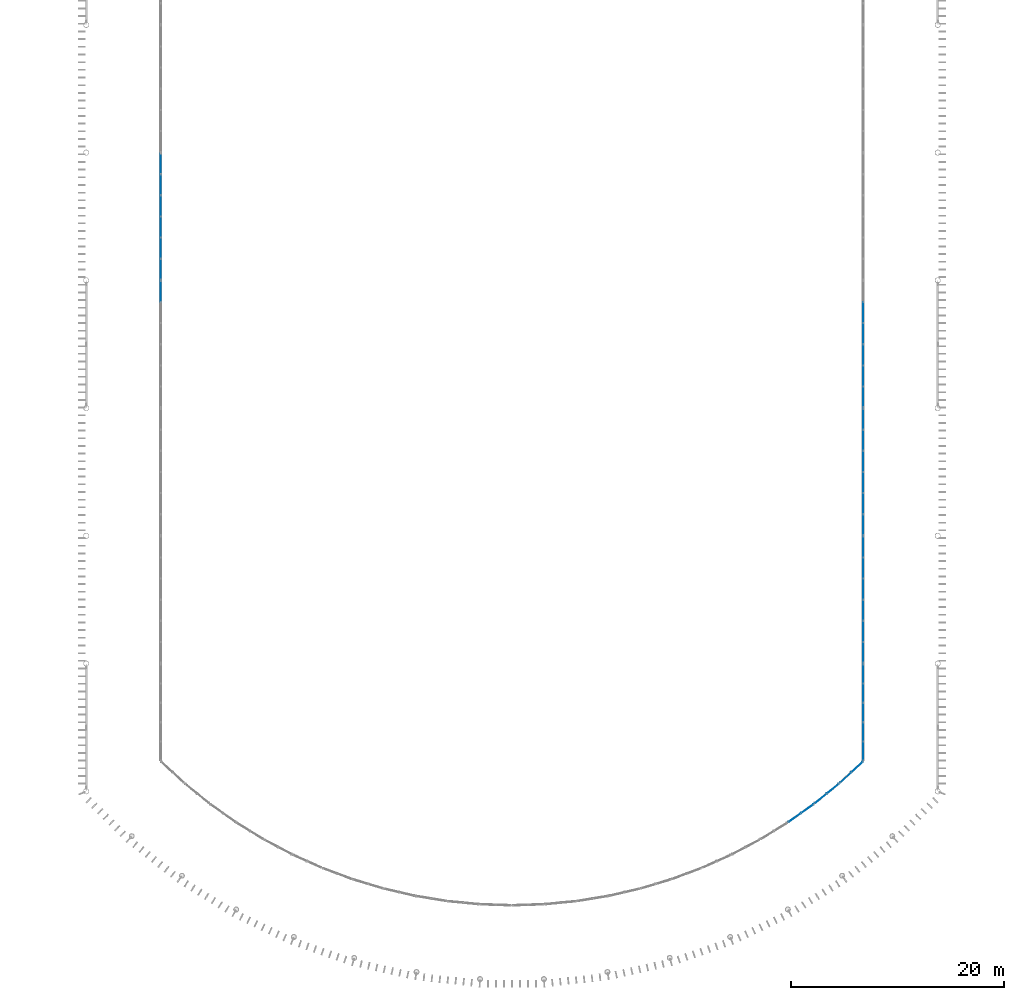
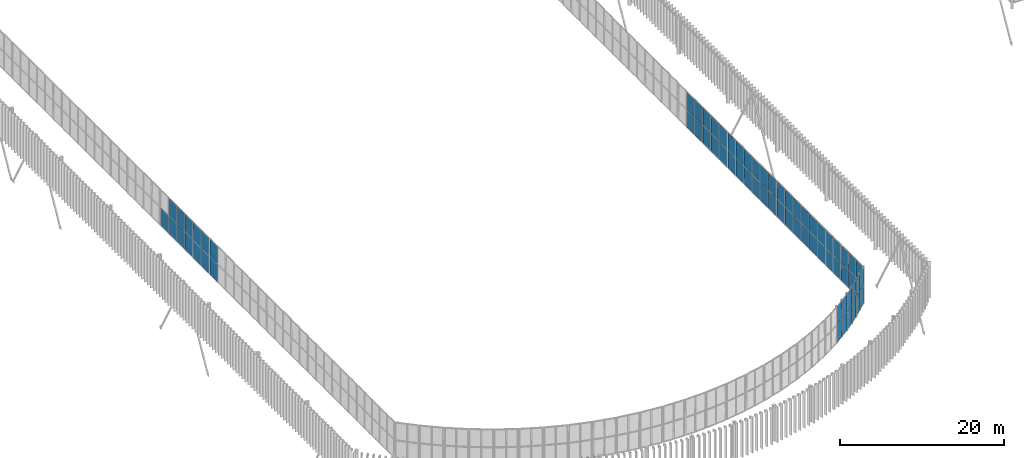
# One storey, part 88 of 170: 69 plates, 9 elements without a shape of their own.
"""IFC4 building model written with IfcOpenShell, lengths in metres."""

from ifc_helpers import new_model, si_unit, direction, frame, origin, origin_2d, place, context, subcontext, project, spatial, rectangle, extrude, material, layer, layer_set, type_object, element, aggregate, save


model = new_model("IFC4")

# Units and contexts
model_context = context("Model", 3, precision=1e-05, world=origin(), true_north=direction((0.0, 1.0)))
body_context = subcontext(model_context, "Body", "Model", "MODEL_VIEW")
ifc_project = project(units=[si_unit("LENGTHUNIT", "METRE"), si_unit("AREAUNIT", "SQUARE_METRE"), si_unit("VOLUMEUNIT", "CUBIC_METRE"), si_unit("PLANEANGLEUNIT", "RADIAN"), si_unit("MASSUNIT", "GRAM", prefix="KILO")], contexts=[model_context])

# Site, building, storey
site_placement = place(None, origin())
site = spatial("IfcSite", under=ifc_project, at=site_placement, CompositionType="ELEMENT")
building_placement = place(site_placement, origin())
building = spatial("IfcBuilding", under=site, at=building_placement, Name="Ravi Spectrum Wholesale Market", CompositionType="ELEMENT")
storey_placement = place(building_placement, frame((0.0, 0.0, 5.39990234375)))
storey = spatial("IfcBuildingStorey", under=building, at=storey_placement, Name="L01", CompositionType="ELEMENT", Elevation=5.39990234375)

# Curtain wall, plates
ifc_material_1 = material(Name="Aluminium 6063-T6", Category="aluminium")
ifc_layer_1 = layer(ifc_material_1, 0.14990234375)
ifc_layer_set_1 = layer_set([ifc_layer_1], Name="Aluminium 6063-T6")
curtain_wall_type = type_object("IfcCurtainWallType", Name="Curtain wall 150", PredefinedType="NOTDEFINED", material=ifc_layer_set_1)
curtain_wall_1_placement = place(storey_placement, origin())
curtain_wall_1 = element("IfcCurtainWall", 1, at=curtain_wall_1_placement, inside=storey, type_object=curtain_wall_type, Name="H1-CW-L01-004", PredefinedType="NOTDEFINED")
ifc_material_2 = material(Name="Toughened glass", Category="glass")
ifc_layer_2 = layer(ifc_material_2, 0.028076171875)
ifc_layer_set_2 = layer_set([ifc_layer_2], Name="Toughened glass")
plate_type_1 = type_object("IfcPlateType", Name="Glazing panel 28", PredefinedType="CURTAIN_PANEL", material=ifc_layer_set_2)
plate_1_placement = place(storey_placement, frame((37.0, 76.95166015625, 0.06005859375), z_axis=(0.0, 0.0, 1.0), x_axis=(0.0, 1.0, 0.0)))
plate_1 = element("IfcPlate", 2, at=plate_1_placement, type_object=plate_type_1, Name="H1-CW-L01-004 panel 6.1", PredefinedType="CURTAIN_PANEL", context=body_context, shape_type="SweptSolid", body=[
    extrude(rectangle(XDim=1.896728515625, YDim=0.028076171875, at=origin_2d()), origin(), (0.0, 0.0, 1.0), 2.610107421875),
])
plate_2_placement = place(storey_placement, frame((37.0, 76.95166015625, 2.72998046875), z_axis=(0.0, 0.0, 1.0), x_axis=(0.0, 1.0, 0.0)))
plate_2 = element("IfcPlate", 3, at=plate_2_placement, type_object=plate_type_1, Name="H1-CW-L01-004 panel 6.2", PredefinedType="CURTAIN_PANEL", context=body_context, shape_type="SweptSolid", body=[
    extrude(rectangle(XDim=1.896728515625, YDim=0.028076171875, at=origin_2d()), origin(), (0.0, 0.0, 1.0), 2.610107421875),
])
aggregate(curtain_wall_1, [plate_1, plate_2])

curtain_wall_2_placement = place(storey_placement, origin())
curtain_wall_2 = element("IfcCurtainWall", 4, at=curtain_wall_2_placement, inside=storey, type_object=curtain_wall_type, Name="H1-CW-L01-005", PredefinedType="NOTDEFINED")
plate_3_placement = place(storey_placement, frame((37.0, 79.04833984375, 0.06005859375), z_axis=(0.0, 0.0, 1.0), x_axis=(0.0, 1.0, 0.0)))
plate_3 = element("IfcPlate", 5, at=plate_3_placement, type_object=plate_type_1, Name="H1-CW-L01-005 panel 1.1", PredefinedType="CURTAIN_PANEL", context=body_context, shape_type="SweptSolid", body=[
    extrude(rectangle(XDim=1.896728515625, YDim=0.028076171875, at=origin_2d()), origin(), (0.0, 0.0, 1.0), 2.610107421875),
])
plate_4_placement = place(storey_placement, frame((37.0, 79.04833984375, 2.72998046875), z_axis=(0.0, 0.0, 1.0), x_axis=(0.0, 1.0, 0.0)))
plate_4 = element("IfcPlate", 6, at=plate_4_placement, type_object=plate_type_1, Name="H1-CW-L01-005 panel 1.2", PredefinedType="CURTAIN_PANEL", context=body_context, shape_type="SweptSolid", body=[
    extrude(rectangle(XDim=1.896728515625, YDim=0.028076171875, at=origin_2d()), origin(), (0.0, 0.0, 1.0), 2.610107421875),
])
plate_5_placement = place(storey_placement, frame((37.0, 81.02001953125, 0.06005859375), z_axis=(0.0, 0.0, 1.0), x_axis=(0.0, 1.0, 0.0)))
plate_5 = element("IfcPlate", 7, at=plate_5_placement, type_object=plate_type_1, Name="H1-CW-L01-005 panel 2.1", PredefinedType="CURTAIN_PANEL", context=body_context, shape_type="SweptSolid", body=[
    extrude(rectangle(XDim=1.9267578125, YDim=0.028076171875, at=origin_2d()), origin(), (0.0, 0.0, 1.0), 2.610107421875),
])
plate_6_placement = place(storey_placement, frame((37.0, 81.02001953125, 2.72998046875), z_axis=(0.0, 0.0, 1.0), x_axis=(0.0, 1.0, 0.0)))
plate_6 = element("IfcPlate", 8, at=plate_6_placement, type_object=plate_type_1, Name="H1-CW-L01-005 panel 2.2", PredefinedType="CURTAIN_PANEL", context=body_context, shape_type="SweptSolid", body=[
    extrude(rectangle(XDim=1.9267578125, YDim=0.028076171875, at=origin_2d()), origin(), (0.0, 0.0, 1.0), 2.610107421875),
])
plate_7_placement = place(storey_placement, frame((37.0, 83.006591796875, 0.06005859375), z_axis=(0.0, 0.0, 1.0), x_axis=(0.0, 1.0, 0.0)))
plate_7 = element("IfcPlate", 9, at=plate_7_placement, type_object=plate_type_1, Name="H1-CW-L01-005 panel 3.1", PredefinedType="CURTAIN_PANEL", context=body_context, shape_type="SweptSolid", body=[
    extrude(rectangle(XDim=1.9267578125, YDim=0.028076171875, at=origin_2d()), origin(), (0.0, 0.0, 1.0), 2.610107421875),
])
plate_8_placement = place(storey_placement, frame((37.0, 83.006591796875, 2.72998046875), z_axis=(0.0, 0.0, 1.0), x_axis=(0.0, 1.0, 0.0)))
plate_8 = element("IfcPlate", 10, at=plate_8_placement, type_object=plate_type_1, Name="H1-CW-L01-005 panel 3.2", PredefinedType="CURTAIN_PANEL", context=body_context, shape_type="SweptSolid", body=[
    extrude(rectangle(XDim=1.9267578125, YDim=0.028076171875, at=origin_2d()), origin(), (0.0, 0.0, 1.0), 2.610107421875),
])
plate_9_placement = place(storey_placement, frame((37.0, 84.993408203125, 0.06005859375), z_axis=(0.0, 0.0, 1.0), x_axis=(0.0, 1.0, 0.0)))
plate_9 = element("IfcPlate", 11, at=plate_9_placement, type_object=plate_type_1, Name="H1-CW-L01-005 panel 4.1", PredefinedType="CURTAIN_PANEL", context=body_context, shape_type="SweptSolid", body=[
    extrude(rectangle(XDim=1.9267578125, YDim=0.028076171875, at=origin_2d()), origin(), (0.0, 0.0, 1.0), 2.610107421875),
])
plate_10_placement = place(storey_placement, frame((37.0, 84.993408203125, 2.72998046875), z_axis=(0.0, 0.0, 1.0), x_axis=(0.0, 1.0, 0.0)))
plate_10 = element("IfcPlate", 12, at=plate_10_placement, type_object=plate_type_1, Name="H1-CW-L01-005 panel 4.2", PredefinedType="CURTAIN_PANEL", context=body_context, shape_type="SweptSolid", body=[
    extrude(rectangle(XDim=1.9267578125, YDim=0.028076171875, at=origin_2d()), origin(), (0.0, 0.0, 1.0), 2.610107421875),
])
plate_11_placement = place(storey_placement, frame((37.0, 86.97998046875, 0.06005859375), z_axis=(0.0, 0.0, 1.0), x_axis=(0.0, 1.0, 0.0)))
plate_11 = element("IfcPlate", 13, at=plate_11_placement, type_object=plate_type_1, Name="H1-CW-L01-005 panel 5.1", PredefinedType="CURTAIN_PANEL", context=body_context, shape_type="SweptSolid", body=[
    extrude(rectangle(XDim=1.9267578125, YDim=0.028076171875, at=origin_2d()), origin(), (0.0, 0.0, 1.0), 2.610107421875),
])
plate_12_placement = place(storey_placement, frame((37.0, 86.97998046875, 2.72998046875), z_axis=(0.0, 0.0, 1.0), x_axis=(0.0, 1.0, 0.0)))
plate_12 = element("IfcPlate", 14, at=plate_12_placement, type_object=plate_type_1, Name="H1-CW-L01-005 panel 5.2", PredefinedType="CURTAIN_PANEL", context=body_context, shape_type="SweptSolid", body=[
    extrude(rectangle(XDim=1.9267578125, YDim=0.028076171875, at=origin_2d()), origin(), (0.0, 0.0, 1.0), 2.610107421875),
])
plate_13_placement = place(storey_placement, frame((37.0, 88.95166015625, 0.06005859375), z_axis=(0.0, 0.0, 1.0), x_axis=(0.0, 1.0, 0.0)))
plate_13 = element("IfcPlate", 15, at=plate_13_placement, type_object=plate_type_1, Name="H1-CW-L01-005 panel 6.1", PredefinedType="CURTAIN_PANEL", context=body_context, shape_type="SweptSolid", body=[
    extrude(rectangle(XDim=1.896728515625, YDim=0.028076171875, at=origin_2d()), origin(), (0.0, 0.0, 1.0), 2.610107421875),
])
aggregate(curtain_wall_2, [plate_3, plate_4, plate_5, plate_6, plate_7, plate_8, plate_9, plate_10, plate_11, plate_12, plate_13])

curtain_wall_3_placement = place(storey_placement, origin())
curtain_wall_3 = element("IfcCurtainWall", 16, at=curtain_wall_3_placement, inside=storey, type_object=curtain_wall_type, Name="H1-CW-L01-015", PredefinedType="NOTDEFINED")
plate_14_placement = place(storey_placement, frame((103.0, 33.7763671875, 0.06005859375), z_axis=(0.0, 0.0, 1.0), x_axis=(0.0, 1.0, 0.0)))
plate_14 = element("IfcPlate", 17, at=plate_14_placement, type_object=plate_type_1, Name="H1-CW-L01-015 panel 1.1", PredefinedType="CURTAIN_PANEL", context=body_context, shape_type="SweptSolid", body=[
    extrude(rectangle(XDim=1.73193359375, YDim=0.028076171875, at=origin_2d()), origin(), (0.0, 0.0, 1.0), 2.610107421875),
])
plate_15_placement = place(storey_placement, frame((103.0, 33.7763671875, 2.72998046875), z_axis=(0.0, 0.0, 1.0), x_axis=(0.0, 1.0, 0.0)))
plate_15 = element("IfcPlate", 18, at=plate_15_placement, type_object=plate_type_1, Name="H1-CW-L01-015 panel 1.2", PredefinedType="CURTAIN_PANEL", context=body_context, shape_type="SweptSolid", body=[
    extrude(rectangle(XDim=1.73193359375, YDim=0.028076171875, at=origin_2d()), origin(), (0.0, 0.0, 1.0), 2.610107421875),
])
plate_16_placement = place(storey_placement, frame((103.0, 35.583251953125, 0.06005859375), z_axis=(0.0, 0.0, 1.0), x_axis=(0.0, 1.0, 0.0)))
plate_16 = element("IfcPlate", 19, at=plate_16_placement, type_object=plate_type_1, Name="H1-CW-L01-015 panel 2.1", PredefinedType="CURTAIN_PANEL", context=body_context, shape_type="SweptSolid", body=[
    extrude(rectangle(XDim=1.761962890625, YDim=0.028076171875, at=origin_2d()), origin(), (0.0, 0.0, 1.0), 2.610107421875),
])
plate_17_placement = place(storey_placement, frame((103.0, 35.583251953125, 2.72998046875), z_axis=(0.0, 0.0, 1.0), x_axis=(0.0, 1.0, 0.0)))
plate_17 = element("IfcPlate", 20, at=plate_17_placement, type_object=plate_type_1, Name="H1-CW-L01-015 panel 2.2", PredefinedType="CURTAIN_PANEL", context=body_context, shape_type="SweptSolid", body=[
    extrude(rectangle(XDim=1.761962890625, YDim=0.028076171875, at=origin_2d()), origin(), (0.0, 0.0, 1.0), 2.610107421875),
])
plate_18_placement = place(storey_placement, frame((103.0, 37.4052734375, 0.06005859375), z_axis=(0.0, 0.0, 1.0), x_axis=(0.0, 1.0, 0.0)))
plate_18 = element("IfcPlate", 21, at=plate_18_placement, type_object=plate_type_1, Name="H1-CW-L01-015 panel 3.1", PredefinedType="CURTAIN_PANEL", context=body_context, shape_type="SweptSolid", body=[
    extrude(rectangle(XDim=1.761962890625, YDim=0.028076171875, at=origin_2d()), origin(), (0.0, 0.0, 1.0), 2.610107421875),
])
plate_19_placement = place(storey_placement, frame((103.0, 37.4052734375, 2.72998046875), z_axis=(0.0, 0.0, 1.0), x_axis=(0.0, 1.0, 0.0)))
plate_19 = element("IfcPlate", 22, at=plate_19_placement, type_object=plate_type_1, Name="H1-CW-L01-015 panel 3.2", PredefinedType="CURTAIN_PANEL", context=body_context, shape_type="SweptSolid", body=[
    extrude(rectangle(XDim=1.761962890625, YDim=0.028076171875, at=origin_2d()), origin(), (0.0, 0.0, 1.0), 2.610107421875),
])
plate_20_placement = place(storey_placement, frame((103.0, 39.22705078125, 0.06005859375), z_axis=(0.0, 0.0, 1.0), x_axis=(0.0, 1.0, 0.0)))
plate_20 = element("IfcPlate", 23, at=plate_20_placement, type_object=plate_type_1, Name="H1-CW-L01-015 panel 4.1", PredefinedType="CURTAIN_PANEL", context=body_context, shape_type="SweptSolid", body=[
    extrude(rectangle(XDim=1.761962890625, YDim=0.028076171875, at=origin_2d()), origin(), (0.0, 0.0, 1.0), 2.610107421875),
])
plate_21_placement = place(storey_placement, frame((103.0, 39.22705078125, 2.72998046875), z_axis=(0.0, 0.0, 1.0), x_axis=(0.0, 1.0, 0.0)))
plate_21 = element("IfcPlate", 24, at=plate_21_placement, type_object=plate_type_1, Name="H1-CW-L01-015 panel 4.2", PredefinedType="CURTAIN_PANEL", context=body_context, shape_type="SweptSolid", body=[
    extrude(rectangle(XDim=1.761962890625, YDim=0.028076171875, at=origin_2d()), origin(), (0.0, 0.0, 1.0), 2.610107421875),
])
plate_22_placement = place(storey_placement, frame((103.0, 41.033935546875, 0.06005859375), z_axis=(0.0, 0.0, 1.0), x_axis=(0.0, 1.0, 0.0)))
plate_22 = element("IfcPlate", 25, at=plate_22_placement, type_object=plate_type_1, Name="H1-CW-L01-015 panel 5.1", PredefinedType="CURTAIN_PANEL", context=body_context, shape_type="SweptSolid", body=[
    extrude(rectangle(XDim=1.73193359375, YDim=0.028076171875, at=origin_2d()), origin(), (0.0, 0.0, 1.0), 2.610107421875),
])
plate_23_placement = place(storey_placement, frame((103.0, 41.033935546875, 2.72998046875), z_axis=(0.0, 0.0, 1.0), x_axis=(0.0, 1.0, 0.0)))
plate_23 = element("IfcPlate", 26, at=plate_23_placement, type_object=plate_type_1, Name="H1-CW-L01-015 panel 5.2", PredefinedType="CURTAIN_PANEL", context=body_context, shape_type="SweptSolid", body=[
    extrude(rectangle(XDim=1.73193359375, YDim=0.028076171875, at=origin_2d()), origin(), (0.0, 0.0, 1.0), 2.610107421875),
])
aggregate(curtain_wall_3, [plate_14, plate_15, plate_16, plate_17, plate_18, plate_19, plate_20, plate_21, plate_22, plate_23])

curtain_wall_4_placement = place(storey_placement, origin())
curtain_wall_4 = element("IfcCurtainWall", 27, at=curtain_wall_4_placement, inside=storey, type_object=curtain_wall_type, Name="H1-CW-L01-016", PredefinedType="NOTDEFINED")
plate_24_placement = place(storey_placement, frame((103.0, 43.04833984375, 0.06005859375), z_axis=(0.0, 0.0, 1.0), x_axis=(0.0, 1.0, 0.0)))
plate_24 = element("IfcPlate", 28, at=plate_24_placement, type_object=plate_type_1, Name="H1-CW-L01-016 panel 1.1", PredefinedType="CURTAIN_PANEL", context=body_context, shape_type="SweptSolid", body=[
    extrude(rectangle(XDim=1.896728515625, YDim=0.028076171875, at=origin_2d()), origin(), (0.0, 0.0, 1.0), 2.610107421875),
])
plate_25_placement = place(storey_placement, frame((103.0, 43.04833984375, 2.72998046875), z_axis=(0.0, 0.0, 1.0), x_axis=(0.0, 1.0, 0.0)))
plate_25 = element("IfcPlate", 29, at=plate_25_placement, type_object=plate_type_1, Name="H1-CW-L01-016 panel 1.2", PredefinedType="CURTAIN_PANEL", context=body_context, shape_type="SweptSolid", body=[
    extrude(rectangle(XDim=1.896728515625, YDim=0.028076171875, at=origin_2d()), origin(), (0.0, 0.0, 1.0), 2.610107421875),
])
plate_26_placement = place(storey_placement, frame((103.0, 45.02001953125, 0.06005859375), z_axis=(0.0, 0.0, 1.0), x_axis=(0.0, 1.0, 0.0)))
plate_26 = element("IfcPlate", 30, at=plate_26_placement, type_object=plate_type_1, Name="H1-CW-L01-016 panel 2.1", PredefinedType="CURTAIN_PANEL", context=body_context, shape_type="SweptSolid", body=[
    extrude(rectangle(XDim=1.9267578125, YDim=0.028076171875, at=origin_2d()), origin(), (0.0, 0.0, 1.0), 2.610107421875),
])
plate_27_placement = place(storey_placement, frame((103.0, 45.02001953125, 2.72998046875), z_axis=(0.0, 0.0, 1.0), x_axis=(0.0, 1.0, 0.0)))
plate_27 = element("IfcPlate", 31, at=plate_27_placement, type_object=plate_type_1, Name="H1-CW-L01-016 panel 2.2", PredefinedType="CURTAIN_PANEL", context=body_context, shape_type="SweptSolid", body=[
    extrude(rectangle(XDim=1.9267578125, YDim=0.028076171875, at=origin_2d()), origin(), (0.0, 0.0, 1.0), 2.610107421875),
])
plate_28_placement = place(storey_placement, frame((103.0, 47.006591796875, 0.06005859375), z_axis=(0.0, 0.0, 1.0), x_axis=(0.0, 1.0, 0.0)))
plate_28 = element("IfcPlate", 32, at=plate_28_placement, type_object=plate_type_1, Name="H1-CW-L01-016 panel 3.1", PredefinedType="CURTAIN_PANEL", context=body_context, shape_type="SweptSolid", body=[
    extrude(rectangle(XDim=1.9267578125, YDim=0.028076171875, at=origin_2d()), origin(), (0.0, 0.0, 1.0), 2.610107421875),
])
plate_29_placement = place(storey_placement, frame((103.0, 47.006591796875, 2.72998046875), z_axis=(0.0, 0.0, 1.0), x_axis=(0.0, 1.0, 0.0)))
plate_29 = element("IfcPlate", 33, at=plate_29_placement, type_object=plate_type_1, Name="H1-CW-L01-016 panel 3.2", PredefinedType="CURTAIN_PANEL", context=body_context, shape_type="SweptSolid", body=[
    extrude(rectangle(XDim=1.9267578125, YDim=0.028076171875, at=origin_2d()), origin(), (0.0, 0.0, 1.0), 2.610107421875),
])
plate_30_placement = place(storey_placement, frame((103.0, 48.993408203125, 0.06005859375), z_axis=(0.0, 0.0, 1.0), x_axis=(0.0, 1.0, 0.0)))
plate_30 = element("IfcPlate", 34, at=plate_30_placement, type_object=plate_type_1, Name="H1-CW-L01-016 panel 4.1", PredefinedType="CURTAIN_PANEL", context=body_context, shape_type="SweptSolid", body=[
    extrude(rectangle(XDim=1.9267578125, YDim=0.028076171875, at=origin_2d()), origin(), (0.0, 0.0, 1.0), 2.610107421875),
])
plate_31_placement = place(storey_placement, frame((103.0, 48.993408203125, 2.72998046875), z_axis=(0.0, 0.0, 1.0), x_axis=(0.0, 1.0, 0.0)))
plate_31 = element("IfcPlate", 35, at=plate_31_placement, type_object=plate_type_1, Name="H1-CW-L01-016 panel 4.2", PredefinedType="CURTAIN_PANEL", context=body_context, shape_type="SweptSolid", body=[
    extrude(rectangle(XDim=1.9267578125, YDim=0.028076171875, at=origin_2d()), origin(), (0.0, 0.0, 1.0), 2.610107421875),
])
plate_32_placement = place(storey_placement, frame((103.0, 50.97998046875, 0.06005859375), z_axis=(0.0, 0.0, 1.0), x_axis=(0.0, 1.0, 0.0)))
plate_32 = element("IfcPlate", 36, at=plate_32_placement, type_object=plate_type_1, Name="H1-CW-L01-016 panel 5.1", PredefinedType="CURTAIN_PANEL", context=body_context, shape_type="SweptSolid", body=[
    extrude(rectangle(XDim=1.9267578125, YDim=0.028076171875, at=origin_2d()), origin(), (0.0, 0.0, 1.0), 2.610107421875),
])
plate_33_placement = place(storey_placement, frame((103.0, 50.97998046875, 2.72998046875), z_axis=(0.0, 0.0, 1.0), x_axis=(0.0, 1.0, 0.0)))
plate_33 = element("IfcPlate", 37, at=plate_33_placement, type_object=plate_type_1, Name="H1-CW-L01-016 panel 5.2", PredefinedType="CURTAIN_PANEL", context=body_context, shape_type="SweptSolid", body=[
    extrude(rectangle(XDim=1.9267578125, YDim=0.028076171875, at=origin_2d()), origin(), (0.0, 0.0, 1.0), 2.610107421875),
])
plate_34_placement = place(storey_placement, frame((103.0, 52.95166015625, 0.06005859375), z_axis=(0.0, 0.0, 1.0), x_axis=(0.0, 1.0, 0.0)))
plate_34 = element("IfcPlate", 38, at=plate_34_placement, type_object=plate_type_1, Name="H1-CW-L01-016 panel 6.1", PredefinedType="CURTAIN_PANEL", context=body_context, shape_type="SweptSolid", body=[
    extrude(rectangle(XDim=1.896728515625, YDim=0.028076171875, at=origin_2d()), origin(), (0.0, 0.0, 1.0), 2.610107421875),
])
plate_35_placement = place(storey_placement, frame((103.0, 52.95166015625, 2.72998046875), z_axis=(0.0, 0.0, 1.0), x_axis=(0.0, 1.0, 0.0)))
plate_35 = element("IfcPlate", 39, at=plate_35_placement, type_object=plate_type_1, Name="H1-CW-L01-016 panel 6.2", PredefinedType="CURTAIN_PANEL", context=body_context, shape_type="SweptSolid", body=[
    extrude(rectangle(XDim=1.896728515625, YDim=0.028076171875, at=origin_2d()), origin(), (0.0, 0.0, 1.0), 2.610107421875),
])
aggregate(curtain_wall_4, [plate_24, plate_25, plate_26, plate_27, plate_28, plate_29, plate_30, plate_31, plate_32, plate_33, plate_34, plate_35])

curtain_wall_5_placement = place(storey_placement, origin())
curtain_wall_5 = element("IfcCurtainWall", 40, at=curtain_wall_5_placement, inside=storey, type_object=curtain_wall_type, Name="H1-CW-L01-017", PredefinedType="NOTDEFINED")
plate_36_placement = place(storey_placement, frame((103.0, 55.04833984375, 0.06005859375), z_axis=(0.0, 0.0, 1.0), x_axis=(0.0, 1.0, 0.0)))
plate_36 = element("IfcPlate", 41, at=plate_36_placement, type_object=plate_type_1, Name="H1-CW-L01-017 panel 1.1", PredefinedType="CURTAIN_PANEL", context=body_context, shape_type="SweptSolid", body=[
    extrude(rectangle(XDim=1.896728515625, YDim=0.028076171875, at=origin_2d()), origin(), (0.0, 0.0, 1.0), 2.610107421875),
])
plate_37_placement = place(storey_placement, frame((103.0, 55.04833984375, 2.72998046875), z_axis=(0.0, 0.0, 1.0), x_axis=(0.0, 1.0, 0.0)))
plate_37 = element("IfcPlate", 42, at=plate_37_placement, type_object=plate_type_1, Name="H1-CW-L01-017 panel 1.2", PredefinedType="CURTAIN_PANEL", context=body_context, shape_type="SweptSolid", body=[
    extrude(rectangle(XDim=1.896728515625, YDim=0.028076171875, at=origin_2d()), origin(), (0.0, 0.0, 1.0), 2.610107421875),
])
plate_38_placement = place(storey_placement, frame((103.0, 57.02001953125, 0.06005859375), z_axis=(0.0, 0.0, 1.0), x_axis=(0.0, 1.0, 0.0)))
plate_38 = element("IfcPlate", 43, at=plate_38_placement, type_object=plate_type_1, Name="H1-CW-L01-017 panel 2.1", PredefinedType="CURTAIN_PANEL", context=body_context, shape_type="SweptSolid", body=[
    extrude(rectangle(XDim=1.9267578125, YDim=0.028076171875, at=origin_2d()), origin(), (0.0, 0.0, 1.0), 2.610107421875),
])
plate_39_placement = place(storey_placement, frame((103.0, 57.02001953125, 2.72998046875), z_axis=(0.0, 0.0, 1.0), x_axis=(0.0, 1.0, 0.0)))
plate_39 = element("IfcPlate", 44, at=plate_39_placement, type_object=plate_type_1, Name="H1-CW-L01-017 panel 2.2", PredefinedType="CURTAIN_PANEL", context=body_context, shape_type="SweptSolid", body=[
    extrude(rectangle(XDim=1.9267578125, YDim=0.028076171875, at=origin_2d()), origin(), (0.0, 0.0, 1.0), 2.610107421875),
])
plate_40_placement = place(storey_placement, frame((103.0, 59.006591796875, 0.06005859375), z_axis=(0.0, 0.0, 1.0), x_axis=(0.0, 1.0, 0.0)))
plate_40 = element("IfcPlate", 45, at=plate_40_placement, type_object=plate_type_1, Name="H1-CW-L01-017 panel 3.1", PredefinedType="CURTAIN_PANEL", context=body_context, shape_type="SweptSolid", body=[
    extrude(rectangle(XDim=1.9267578125, YDim=0.028076171875, at=origin_2d()), origin(), (0.0, 0.0, 1.0), 2.610107421875),
])
plate_41_placement = place(storey_placement, frame((103.0, 59.006591796875, 2.72998046875), z_axis=(0.0, 0.0, 1.0), x_axis=(0.0, 1.0, 0.0)))
plate_41 = element("IfcPlate", 46, at=plate_41_placement, type_object=plate_type_1, Name="H1-CW-L01-017 panel 3.2", PredefinedType="CURTAIN_PANEL", context=body_context, shape_type="SweptSolid", body=[
    extrude(rectangle(XDim=1.9267578125, YDim=0.028076171875, at=origin_2d()), origin(), (0.0, 0.0, 1.0), 2.610107421875),
])
plate_42_placement = place(storey_placement, frame((103.0, 60.993408203125, 0.06005859375), z_axis=(0.0, 0.0, 1.0), x_axis=(0.0, 1.0, 0.0)))
plate_42 = element("IfcPlate", 47, at=plate_42_placement, type_object=plate_type_1, Name="H1-CW-L01-017 panel 4.1", PredefinedType="CURTAIN_PANEL", context=body_context, shape_type="SweptSolid", body=[
    extrude(rectangle(XDim=1.9267578125, YDim=0.028076171875, at=origin_2d()), origin(), (0.0, 0.0, 1.0), 2.610107421875),
])
plate_43_placement = place(storey_placement, frame((103.0, 60.993408203125, 2.72998046875), z_axis=(0.0, 0.0, 1.0), x_axis=(0.0, 1.0, 0.0)))
plate_43 = element("IfcPlate", 48, at=plate_43_placement, type_object=plate_type_1, Name="H1-CW-L01-017 panel 4.2", PredefinedType="CURTAIN_PANEL", context=body_context, shape_type="SweptSolid", body=[
    extrude(rectangle(XDim=1.9267578125, YDim=0.028076171875, at=origin_2d()), origin(), (0.0, 0.0, 1.0), 2.610107421875),
])
plate_44_placement = place(storey_placement, frame((103.0, 62.97998046875, 0.06005859375), z_axis=(0.0, 0.0, 1.0), x_axis=(0.0, 1.0, 0.0)))
plate_44 = element("IfcPlate", 49, at=plate_44_placement, type_object=plate_type_1, Name="H1-CW-L01-017 panel 5.1", PredefinedType="CURTAIN_PANEL", context=body_context, shape_type="SweptSolid", body=[
    extrude(rectangle(XDim=1.9267578125, YDim=0.028076171875, at=origin_2d()), origin(), (0.0, 0.0, 1.0), 2.610107421875),
])
plate_45_placement = place(storey_placement, frame((103.0, 62.97998046875, 2.72998046875), z_axis=(0.0, 0.0, 1.0), x_axis=(0.0, 1.0, 0.0)))
plate_45 = element("IfcPlate", 50, at=plate_45_placement, type_object=plate_type_1, Name="H1-CW-L01-017 panel 5.2", PredefinedType="CURTAIN_PANEL", context=body_context, shape_type="SweptSolid", body=[
    extrude(rectangle(XDim=1.9267578125, YDim=0.028076171875, at=origin_2d()), origin(), (0.0, 0.0, 1.0), 2.610107421875),
])
plate_46_placement = place(storey_placement, frame((103.0, 64.95166015625, 0.06005859375), z_axis=(0.0, 0.0, 1.0), x_axis=(0.0, 1.0, 0.0)))
plate_46 = element("IfcPlate", 51, at=plate_46_placement, type_object=plate_type_1, Name="H1-CW-L01-017 panel 6.1", PredefinedType="CURTAIN_PANEL", context=body_context, shape_type="SweptSolid", body=[
    extrude(rectangle(XDim=1.896728515625, YDim=0.028076171875, at=origin_2d()), origin(), (0.0, 0.0, 1.0), 2.610107421875),
])
plate_47_placement = place(storey_placement, frame((103.0, 64.95166015625, 2.72998046875), z_axis=(0.0, 0.0, 1.0), x_axis=(0.0, 1.0, 0.0)))
plate_47 = element("IfcPlate", 52, at=plate_47_placement, type_object=plate_type_1, Name="H1-CW-L01-017 panel 6.2", PredefinedType="CURTAIN_PANEL", context=body_context, shape_type="SweptSolid", body=[
    extrude(rectangle(XDim=1.896728515625, YDim=0.028076171875, at=origin_2d()), origin(), (0.0, 0.0, 1.0), 2.610107421875),
])
aggregate(curtain_wall_5, [plate_36, plate_37, plate_38, plate_39, plate_40, plate_41, plate_42, plate_43, plate_44, plate_45, plate_46, plate_47])

curtain_wall_6_placement = place(storey_placement, origin())
curtain_wall_6 = element("IfcCurtainWall", 53, at=curtain_wall_6_placement, inside=storey, type_object=curtain_wall_type, Name="H1-CW-L01-018", PredefinedType="NOTDEFINED")
plate_48_placement = place(storey_placement, frame((103.0, 67.04833984375, 0.06005859375), z_axis=(0.0, 0.0, 1.0), x_axis=(0.0, 1.0, 0.0)))
plate_48 = element("IfcPlate", 54, at=plate_48_placement, type_object=plate_type_1, Name="H1-CW-L01-018 panel 1.1", PredefinedType="CURTAIN_PANEL", context=body_context, shape_type="SweptSolid", body=[
    extrude(rectangle(XDim=1.896728515625, YDim=0.028076171875, at=origin_2d()), origin(), (0.0, 0.0, 1.0), 2.610107421875),
])
plate_49_placement = place(storey_placement, frame((103.0, 67.04833984375, 2.72998046875), z_axis=(0.0, 0.0, 1.0), x_axis=(0.0, 1.0, 0.0)))
plate_49 = element("IfcPlate", 55, at=plate_49_placement, type_object=plate_type_1, Name="H1-CW-L01-018 panel 1.2", PredefinedType="CURTAIN_PANEL", context=body_context, shape_type="SweptSolid", body=[
    extrude(rectangle(XDim=1.896728515625, YDim=0.028076171875, at=origin_2d()), origin(), (0.0, 0.0, 1.0), 2.610107421875),
])
plate_50_placement = place(storey_placement, frame((103.0, 69.02001953125, 0.06005859375), z_axis=(0.0, 0.0, 1.0), x_axis=(0.0, 1.0, 0.0)))
plate_50 = element("IfcPlate", 56, at=plate_50_placement, type_object=plate_type_1, Name="H1-CW-L01-018 panel 2.1", PredefinedType="CURTAIN_PANEL", context=body_context, shape_type="SweptSolid", body=[
    extrude(rectangle(XDim=1.9267578125, YDim=0.028076171875, at=origin_2d()), origin(), (0.0, 0.0, 1.0), 2.610107421875),
])
plate_51_placement = place(storey_placement, frame((103.0, 69.02001953125, 2.72998046875), z_axis=(0.0, 0.0, 1.0), x_axis=(0.0, 1.0, 0.0)))
plate_51 = element("IfcPlate", 57, at=plate_51_placement, type_object=plate_type_1, Name="H1-CW-L01-018 panel 2.2", PredefinedType="CURTAIN_PANEL", context=body_context, shape_type="SweptSolid", body=[
    extrude(rectangle(XDim=1.9267578125, YDim=0.028076171875, at=origin_2d()), origin(), (0.0, 0.0, 1.0), 2.610107421875),
])
plate_52_placement = place(storey_placement, frame((103.0, 71.006591796875, 0.06005859375), z_axis=(0.0, 0.0, 1.0), x_axis=(0.0, 1.0, 0.0)))
plate_52 = element("IfcPlate", 58, at=plate_52_placement, type_object=plate_type_1, Name="H1-CW-L01-018 panel 3.1", PredefinedType="CURTAIN_PANEL", context=body_context, shape_type="SweptSolid", body=[
    extrude(rectangle(XDim=1.9267578125, YDim=0.028076171875, at=origin_2d()), origin(), (0.0, 0.0, 1.0), 2.610107421875),
])
plate_53_placement = place(storey_placement, frame((103.0, 71.006591796875, 2.72998046875), z_axis=(0.0, 0.0, 1.0), x_axis=(0.0, 1.0, 0.0)))
plate_53 = element("IfcPlate", 59, at=plate_53_placement, type_object=plate_type_1, Name="H1-CW-L01-018 panel 3.2", PredefinedType="CURTAIN_PANEL", context=body_context, shape_type="SweptSolid", body=[
    extrude(rectangle(XDim=1.9267578125, YDim=0.028076171875, at=origin_2d()), origin(), (0.0, 0.0, 1.0), 2.610107421875),
])
plate_54_placement = place(storey_placement, frame((103.0, 72.993408203125, 0.06005859375), z_axis=(0.0, 0.0, 1.0), x_axis=(0.0, 1.0, 0.0)))
plate_54 = element("IfcPlate", 60, at=plate_54_placement, type_object=plate_type_1, Name="H1-CW-L01-018 panel 4.1", PredefinedType="CURTAIN_PANEL", context=body_context, shape_type="SweptSolid", body=[
    extrude(rectangle(XDim=1.9267578125, YDim=0.028076171875, at=origin_2d()), origin(), (0.0, 0.0, 1.0), 2.610107421875),
])
plate_55_placement = place(storey_placement, frame((103.0, 72.993408203125, 2.72998046875), z_axis=(0.0, 0.0, 1.0), x_axis=(0.0, 1.0, 0.0)))
plate_55 = element("IfcPlate", 61, at=plate_55_placement, type_object=plate_type_1, Name="H1-CW-L01-018 panel 4.2", PredefinedType="CURTAIN_PANEL", context=body_context, shape_type="SweptSolid", body=[
    extrude(rectangle(XDim=1.9267578125, YDim=0.028076171875, at=origin_2d()), origin(), (0.0, 0.0, 1.0), 2.610107421875),
])
plate_56_placement = place(storey_placement, frame((103.0, 74.97998046875, 0.06005859375), z_axis=(0.0, 0.0, 1.0), x_axis=(0.0, 1.0, 0.0)))
plate_56 = element("IfcPlate", 62, at=plate_56_placement, type_object=plate_type_1, Name="H1-CW-L01-018 panel 5.1", PredefinedType="CURTAIN_PANEL", context=body_context, shape_type="SweptSolid", body=[
    extrude(rectangle(XDim=1.9267578125, YDim=0.028076171875, at=origin_2d()), origin(), (0.0, 0.0, 1.0), 2.610107421875),
])
plate_57_placement = place(storey_placement, frame((103.0, 74.97998046875, 2.72998046875), z_axis=(0.0, 0.0, 1.0), x_axis=(0.0, 1.0, 0.0)))
plate_57 = element("IfcPlate", 63, at=plate_57_placement, type_object=plate_type_1, Name="H1-CW-L01-018 panel 5.2", PredefinedType="CURTAIN_PANEL", context=body_context, shape_type="SweptSolid", body=[
    extrude(rectangle(XDim=1.9267578125, YDim=0.028076171875, at=origin_2d()), origin(), (0.0, 0.0, 1.0), 2.610107421875),
])
aggregate(curtain_wall_6, [plate_48, plate_49, plate_50, plate_51, plate_52, plate_53, plate_54, plate_55, plate_56, plate_57])

curtain_wall_7_placement = place(storey_placement, origin())
curtain_wall_7 = element("IfcCurtainWall", 64, at=curtain_wall_7_placement, inside=storey, type_object=curtain_wall_type, Name="H1-CW-L01-050", PredefinedType="NOTDEFINED")
plate_58_placement = place(storey_placement, frame((96.55615234375, 27.521484375, 0.06005859375), z_axis=(0.0, 0.0, 1.0), x_axis=(0.816069853372, 0.57795328048, 0.0)))
plate_58 = element("IfcPlate", 65, at=plate_58_placement, type_object=plate_type_1, Name="H1-CW-L01-050 panel 1.1", PredefinedType="CURTAIN_PANEL", context=body_context, shape_type="SweptSolid", body=[
    extrude(rectangle(XDim=1.39404296875, YDim=0.028076171875, at=origin_2d()), origin(), (0.0, 0.0, 1.0), 2.610107421875),
])
plate_59_placement = place(storey_placement, frame((96.55615234375, 27.521484375, 2.72998046875), z_axis=(0.0, 0.0, 1.0), x_axis=(0.816069853372, 0.57795328048, 0.0)))
plate_59 = element("IfcPlate", 66, at=plate_59_placement, type_object=plate_type_1, Name="H1-CW-L01-050 panel 1.2", PredefinedType="CURTAIN_PANEL", context=body_context, shape_type="SweptSolid", body=[
    extrude(rectangle(XDim=1.39404296875, YDim=0.028076171875, at=origin_2d()), origin(), (0.0, 0.0, 1.0), 2.610107421875),
])
plate_60_placement = place(storey_placement, frame((97.742919921875, 28.36181640625, 0.06005859375), z_axis=(0.0, 0.0, 1.0), x_axis=(0.816069853372, 0.57795328048, 0.0)))
plate_60 = element("IfcPlate", 67, at=plate_60_placement, type_object=plate_type_1, Name="H1-CW-L01-050 panel 2.1", PredefinedType="CURTAIN_PANEL", context=body_context, shape_type="SweptSolid", body=[
    extrude(rectangle(XDim=1.39404296875, YDim=0.028076171875, at=origin_2d()), origin(), (0.0, 0.0, 1.0), 2.610107421875),
])
plate_61_placement = place(storey_placement, frame((97.742919921875, 28.36181640625, 2.72998046875), z_axis=(0.0, 0.0, 1.0), x_axis=(0.816069853372, 0.57795328048, 0.0)))
plate_61 = element("IfcPlate", 68, at=plate_61_placement, type_object=plate_type_1, Name="H1-CW-L01-050 panel 2.2", PredefinedType="CURTAIN_PANEL", context=body_context, shape_type="SweptSolid", body=[
    extrude(rectangle(XDim=1.39404296875, YDim=0.028076171875, at=origin_2d()), origin(), (0.0, 0.0, 1.0), 2.610107421875),
])
aggregate(curtain_wall_7, [plate_58, plate_59, plate_60, plate_61])

curtain_wall_8_placement = place(storey_placement, origin())
curtain_wall_8 = element("IfcCurtainWall", 69, at=curtain_wall_8_placement, inside=storey, type_object=curtain_wall_type, Name="H1-CW-L01-051", PredefinedType="NOTDEFINED")
plate_62_placement = place(storey_placement, frame((99.012451171875, 29.32421875, 0.06005859375), z_axis=(0.0, 0.0, 1.0), x_axis=(0.776890942844, 0.629635182408, 0.0)))
plate_62 = element("IfcPlate", 70, at=plate_62_placement, type_object=plate_type_1, Name="H1-CW-L01-051 panel 1.1", PredefinedType="CURTAIN_PANEL", context=body_context, shape_type="SweptSolid", body=[
    extrude(rectangle(XDim=1.39404296875, YDim=0.028076171875, at=origin_2d()), origin(), (0.0, 0.0, 1.0), 2.610107421875),
])
plate_63_placement = place(storey_placement, frame((100.14208984375, 30.23974609375, 0.06005859375), z_axis=(0.0, 0.0, 1.0), x_axis=(0.776890942844, 0.629635182408, 0.0)))
plate_63 = element("IfcPlate", 71, at=plate_63_placement, type_object=plate_type_1, Name="H1-CW-L01-051 panel 2.1", PredefinedType="CURTAIN_PANEL", context=body_context, shape_type="SweptSolid", body=[
    extrude(rectangle(XDim=1.39404296875, YDim=0.028076171875, at=origin_2d()), origin(), (0.0, 0.0, 1.0), 2.610107421875),
])

curtain_wall_9_placement = place(storey_placement, origin())
curtain_wall_9 = element("IfcCurtainWall", 72, at=curtain_wall_9_placement, inside=storey, type_object=curtain_wall_type, Name="H1-CW-L01-052", PredefinedType="NOTDEFINED")
plate_64_placement = place(storey_placement, frame((101.3466796875, 31.282470703125, 0.06005859375), z_axis=(0.0, 0.0, 1.0), x_axis=(0.734444424621, 0.678668834663, 0.0)))
plate_64 = element("IfcPlate", 73, at=plate_64_placement, type_object=plate_type_1, Name="H1-CW-L01-052 panel 1.1", PredefinedType="CURTAIN_PANEL", context=body_context, shape_type="SweptSolid", body=[
    extrude(rectangle(XDim=1.39404296875, YDim=0.028076171875, at=origin_2d()), origin(), (0.0, 0.0, 1.0), 2.610107421875),
])
plate_65_placement = place(storey_placement, frame((101.3466796875, 31.282470703125, 2.72998046875), z_axis=(0.0, 0.0, 1.0), x_axis=(0.734444424621, 0.678668834663, 0.0)))
plate_65 = element("IfcPlate", 74, at=plate_65_placement, type_object=plate_type_1, Name="H1-CW-L01-052 panel 1.2", PredefinedType="CURTAIN_PANEL", context=body_context, shape_type="SweptSolid", body=[
    extrude(rectangle(XDim=1.39404296875, YDim=0.028076171875, at=origin_2d()), origin(), (0.0, 0.0, 1.0), 2.610107421875),
])
plate_66_placement = place(storey_placement, frame((102.41455078125, 32.269287109375, 0.06005859375), z_axis=(0.0, 0.0, 1.0), x_axis=(0.734444424621, 0.678668834663, 0.0)))
plate_66 = element("IfcPlate", 75, at=plate_66_placement, type_object=plate_type_1, Name="H1-CW-L01-052 panel 2.1", PredefinedType="CURTAIN_PANEL", context=body_context, shape_type="SweptSolid", body=[
    extrude(rectangle(XDim=1.39404296875, YDim=0.028076171875, at=origin_2d()), origin(), (0.0, 0.0, 1.0), 2.610107421875),
])
plate_67_placement = place(storey_placement, frame((102.41455078125, 32.269287109375, 2.72998046875), z_axis=(0.0, 0.0, 1.0), x_axis=(0.734444424621, 0.678668834663, 0.0)))
plate_67 = element("IfcPlate", 76, at=plate_67_placement, type_object=plate_type_1, Name="H1-CW-L01-052 panel 2.2", PredefinedType="CURTAIN_PANEL", context=body_context, shape_type="SweptSolid", body=[
    extrude(rectangle(XDim=1.39404296875, YDim=0.028076171875, at=origin_2d()), origin(), (0.0, 0.0, 1.0), 2.610107421875),
])
aggregate(curtain_wall_9, [plate_64, plate_65, plate_66, plate_67])

# Plate
ifc_material_3 = material(Name="Insulated panel")
ifc_layer_3 = layer(ifc_material_3, 0.028076171875)
ifc_layer_set_3 = layer_set([ifc_layer_3], Name="Insulated panel")
plate_type_2 = type_object("IfcPlateType", Name="Opaque insulated panel 28", PredefinedType="CURTAIN_PANEL", material=ifc_layer_set_3)
plate_68_placement = place(storey_placement, frame((99.012451171875, 29.32421875, 2.72998046875), z_axis=(0.0, 0.0, 1.0), x_axis=(0.776890942844, 0.629635182408, 0.0)))
plate_68 = element("IfcPlate", 77, at=plate_68_placement, type_object=plate_type_2, Name="H1-CW-L01-051 panel 1.2", PredefinedType="CURTAIN_PANEL", context=body_context, shape_type="SweptSolid", body=[
    extrude(rectangle(XDim=1.39404296875, YDim=0.028076171875, at=origin_2d()), origin(), (0.0, 0.0, 1.0), 2.610107421875),
])

plate_69_placement = place(storey_placement, frame((100.14208984375, 30.23974609375, 2.72998046875), z_axis=(0.0, 0.0, 1.0), x_axis=(0.776890942844, 0.629635182408, 0.0)))
plate_69 = element("IfcPlate", 78, at=plate_69_placement, type_object=plate_type_2, Name="H1-CW-L01-051 panel 2.2", PredefinedType="CURTAIN_PANEL", context=body_context, shape_type="SweptSolid", body=[
    extrude(rectangle(XDim=1.39404296875, YDim=0.028076171875, at=origin_2d()), origin(), (0.0, 0.0, 1.0), 2.610107421875),
])

aggregate(curtain_wall_8, [plate_62, plate_68, plate_63, plate_69])

save(model, "model.ifc")
